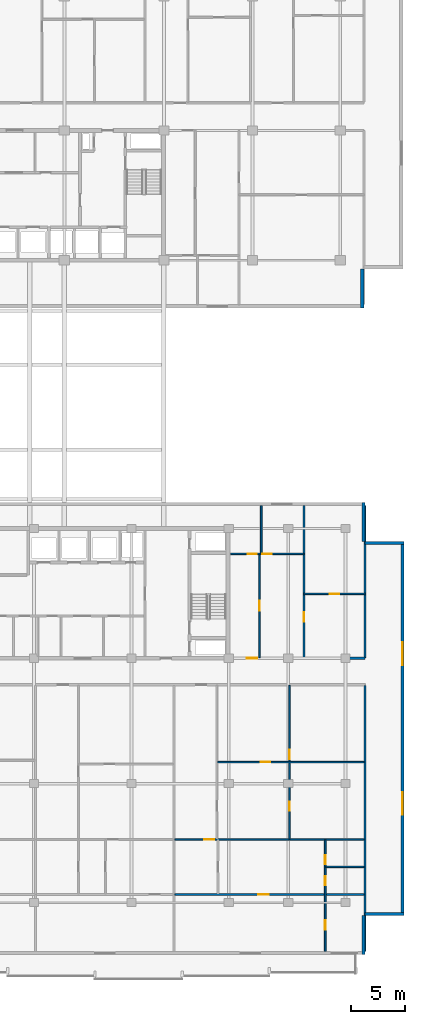
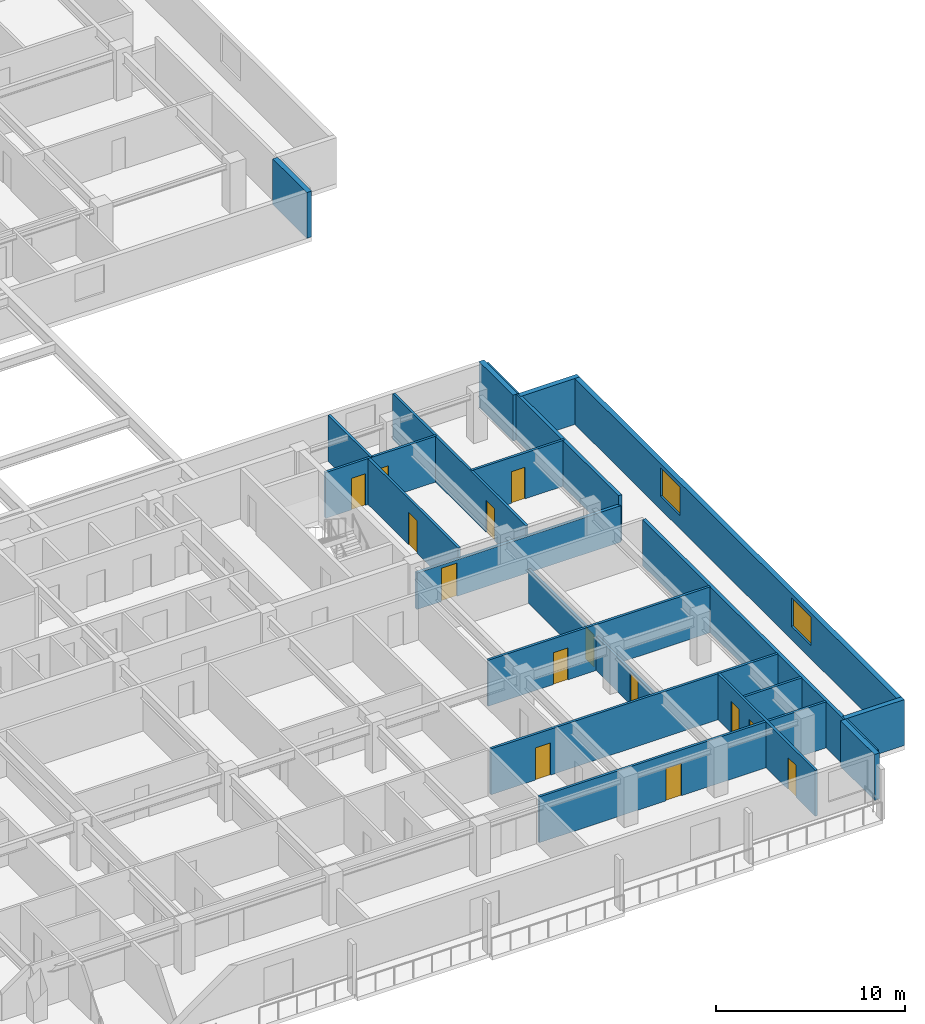
# One storey, part 9 of 21: 20 walls, 14 doors, 2 windows, 16 openings.
"""IFC4 building model written with IfcOpenShell, lengths in metres."""

from ifc_helpers import new_model, si_unit, direction, frame, frame_2d, origin, place, context, subcontext, project, spatial, rectangle, extrude, material, layer, layer_set, type_object, element, fill, save


model = new_model("IFC4")

# Units and contexts
model_context = context("Model", 3, precision=1e-05, world=origin(), true_north=direction((0.0, 1.0)))
body_context = subcontext(model_context, "Body", "Model", "MODEL_VIEW")
ifc_project = project(units=[si_unit("LENGTHUNIT", "METRE"), si_unit("AREAUNIT", "SQUARE_METRE"), si_unit("VOLUMEUNIT", "CUBIC_METRE"), si_unit("PLANEANGLEUNIT", "RADIAN"), si_unit("MASSUNIT", "GRAM", prefix="KILO")], contexts=[model_context])

# Site, building, storey
site_placement = place(None, origin())
site = spatial("IfcSite", under=ifc_project, at=site_placement, CompositionType="ELEMENT")
building_placement = place(site_placement, origin())
building = spatial("IfcBuilding", under=site, at=building_placement, Name="Korimba Cascade Residences", CompositionType="ELEMENT")
storey_placement = place(building_placement, frame((0.0, 0.0, 136.050048828125)))
storey = spatial("IfcBuildingStorey", under=building, at=storey_placement, Name="L39", CompositionType="ELEMENT", Elevation=136.050048828125)

# Walls
ifc_material_1 = material(Name="Precast concrete C40/50", Category="concrete")
ifc_layer_1 = layer(ifc_material_1, 0.300048828125)
ifc_layer_set_1 = layer_set([ifc_layer_1], Name="Precast concrete C40/50")
wall_type_1 = type_object("IfcWallType", Name="EW-STONE-300", PredefinedType="STANDARD", material=ifc_layer_set_1)
wall_1_placement = place(storey_placement, frame((130.449951171875, 50.800048828125, 0.0), z_axis=(0.0, 0.0, 1.0), x_axis=(0.0, 1.0, 0.0)))
element("IfcWall", 1, at=wall_1_placement, inside=storey, type_object=wall_type_1, Name="L39 T1 Perimeter Stone Wall E01", PredefinedType="STANDARD", context=body_context, shape_type="SweptSolid", body=[
    extrude(rectangle(XDim=3.599853515625, YDim=0.300048828125, at=frame_2d((1.7998046875, 0.0))), origin(), (0.0, 0.0, 1.0), 2.9599609375),
])
for number, where, z_axis, x_axis, name in (
    (2, (130.550048828125, -9.0, 0.0), (0.0, 0.0, 1.0), (0.0, 1.0, 0.0), "L39 T2 Perimeter Stone Wall E01"),
    (3, (130.699951171875, -5.25, 0.0), (0.0, 0.0, 1.0), (1.0, 0.0, 0.0), "L39 T2 Perimeter Stone Wall E02"),
):
    element("IfcWall", number, at=place(storey_placement, frame(where, z_axis=z_axis, x_axis=x_axis)), inside=storey, type_object=wall_type_1, Name=name, PredefinedType="STANDARD", context=body_context, shape_type="SweptSolid", body=[
        extrude(rectangle(XDim=3.60009765625, YDim=0.300048828125, at=frame_2d((1.800048828125, 0.0))), origin(), (0.0, 0.0, 1.0), 2.9599609375),
    ])

# Wall, openings, windows
wall_2_placement = place(storey_placement, frame((134.14990234375, -5.39990234375, 0.0), z_axis=(0.0, 0.0, 1.0), x_axis=(0.0, 1.0, 0.0)))
wall_2 = element("IfcWall", 4, at=wall_2_placement, inside=storey, type_object=wall_type_1, Name="L39 T2 Perimeter Stone Wall E03", PredefinedType="STANDARD", context=body_context, shape_type="SweptSolid", body=[
    extrude(rectangle(XDim=34.599853515625, YDim=0.300048828125, at=frame_2d((17.2998046875, 0.0))), origin(), (0.0, 0.0, 1.0), 2.9599609375),
])
opening_1_placement = place(wall_2_placement, frame((9.330078125, 0.0, 0.85009765625)))
opening_1 = element("IfcOpeningElement", 5, at=opening_1_placement, cuts=wall_2, Name="Opening W-03", PredefinedType="OPENING", context=body_context, shape_type="SweptSolid", body=[
    extrude(rectangle(XDim=2.10009765625, YDim=1.85009765625, at=frame_2d((1.050048828125, 0.925048828125))), frame((0.0, 0.16015625, 0.0), z_axis=(0.0, -1.0, 0.0), x_axis=(1.0, 0.0, 0.0)), (0.0, 0.0, 1.0), 0.320068359375),
])
opening_2_placement = place(wall_2_placement, frame((23.169921875, 0.0, 0.85009765625)))
opening_2 = element("IfcOpeningElement", 6, at=opening_2_placement, cuts=wall_2, Name="Opening W-03", PredefinedType="OPENING", context=body_context, shape_type="SweptSolid", body=[
    extrude(rectangle(XDim=2.10009765625, YDim=1.85009765625, at=frame_2d((1.050048828125, 0.925048828125))), frame((0.0, 0.16015625, 0.0), z_axis=(0.0, -1.0, 0.0), x_axis=(1.0, 0.0, 0.0)), (0.0, 0.0, 1.0), 0.320068359375),
])
ifc_material_2 = material(Name="Double-Glazed Aluminium Window", Category="aluminium")
window_type = type_object("IfcWindowType", Name="WIN-CRN-2100", PartitioningType="DOUBLE_PANEL_HORIZONTAL", PredefinedType="WINDOW", material=ifc_material_2)
window_1_placement = place(opening_1_placement, origin())
window_1 = element("IfcWindow", 7, at=window_1_placement, inside=storey, type_object=window_type, Name="L39 T2 End View Window 3.1", OverallHeight=1.85009765625, OverallWidth=2.10009765625, PartitioningType="DOUBLE_PANEL_HORIZONTAL", PredefinedType="WINDOW", context=body_context, shape_type="SweptSolid", body=[
    extrude(rectangle(XDim=2.10009765625, YDim=1.85009765625, at=frame_2d((1.050048828125, 0.925048828125))), frame((0.0, 0.030029296875, 0.0), z_axis=(0.0, -1.0, 0.0), x_axis=(1.0, 0.0, 0.0)), (0.0, 0.0, 1.0), 0.06005859375),
])
fill(opening_1, window_1)
window_2_placement = place(opening_2_placement, origin())
window_2 = element("IfcWindow", 8, at=window_2_placement, inside=storey, type_object=window_type, Name="L39 T2 End View Window 3.2", OverallHeight=1.85009765625, OverallWidth=2.10009765625, PartitioningType="DOUBLE_PANEL_HORIZONTAL", PredefinedType="WINDOW", context=body_context, shape_type="SweptSolid", body=[
    extrude(rectangle(XDim=2.10009765625, YDim=1.85009765625, at=frame_2d((1.050048828125, 0.925048828125))), frame((0.0, 0.030029296875, 0.0), z_axis=(0.0, -1.0, 0.0), x_axis=(1.0, 0.0, 0.0)), (0.0, 0.0, 1.0), 0.06005859375),
])
fill(opening_2, window_2)

# Walls
for number, where, z_axis, x_axis, name in (
    (9, (134.300048828125, 29.050048828125, 0.0), (0.0, 0.0, 1.0), (-1.0, 0.0, 0.0), "L39 T2 Perimeter Stone Wall E04"),
    (10, (130.550048828125, 29.199951171875, 0.0), (0.0, 0.0, 1.0), (0.0, 1.0, 0.0), "L39 T2 Perimeter Stone Wall E05"),
):
    element("IfcWall", number, at=place(storey_placement, frame(where, z_axis=z_axis, x_axis=x_axis)), inside=storey, type_object=wall_type_1, Name=name, PredefinedType="STANDARD", context=body_context, shape_type="SweptSolid", body=[
        extrude(rectangle(XDim=3.60009765625, YDim=0.300048828125, at=frame_2d((1.800048828125, 0.0))), origin(), (0.0, 0.0, 1.0), 2.9599609375),
    ])
ifc_layer_2 = layer(ifc_material_1, 0.199951171875)
ifc_layer_set_2 = layer_set([ifc_layer_2], Name="Precast concrete C40/50")
wall_type_2 = type_object("IfcWallType", Name="WAL-IT-200", PredefinedType="PARTITIONING", material=ifc_layer_set_2)
wall_3_placement = place(storey_placement, frame((130.699951171875, 18.39990234375, 0.0), z_axis=(0.0, 0.0, 1.0), x_axis=(0.0, 1.0, 0.0)))
element("IfcWall", 11, at=wall_3_placement, inside=storey, type_object=wall_type_2, Name="L39 Partition Wall WAL-L39-T2-FE-WR", PredefinedType="PARTITIONING", context=body_context, shape_type="SweptSolid", body=[
    extrude(rectangle(XDim=14.10009765625, YDim=0.199951171875, at=frame_2d((7.050048828125, 0.0))), origin(), (0.0, 0.0, 1.0), 2.9599609375),
])

# Wall, opening, door
wall_4_placement = place(storey_placement, frame((118.25, 18.39990234375, 0.0), z_axis=(0.0, 0.0, 1.0), x_axis=(1.0, 0.0, 0.0)))
wall_4 = element("IfcWall", 12, at=wall_4_placement, inside=storey, type_object=wall_type_2, Name="L39 Partition Wall WAL-L39-T2-FE-S", PredefinedType="PARTITIONING", context=body_context, shape_type="SweptSolid", body=[
    extrude(rectangle(XDim=12.449951171875, YDim=0.199951171875, at=frame_2d((6.22509765625, 0.0))), origin(), (0.0, 0.0, 1.0), 2.34765625),
])
opening_3_placement = place(wall_4_placement, frame((1.510009765625, 0.0, 0.0)))
opening_3 = element("IfcOpeningElement", 13, at=opening_3_placement, cuts=wall_4, Name="Opening D-UN1", PredefinedType="OPENING", context=body_context, shape_type="SweptSolid", body=[
    extrude(rectangle(XDim=0.949951171875, YDim=2.14990234375, at=frame_2d((0.47509765625, 1.074951171875))), frame((0.0, 0.10986328125, 0.0), z_axis=(0.0, -1.0, 0.0), x_axis=(1.0, 0.0, 0.0)), (0.0, 0.0, 1.0), 0.219970703125),
])
ifc_material_3 = material(Name="Fire-Rated Hardwood Apartment Entrance Door", Category="wood")
door_type_1 = type_object("IfcDoorType", Name="DR-FD60-950", OperationType="NOTDEFINED", PredefinedType="DOOR", material=ifc_material_3)
door_1_placement = place(opening_3_placement, origin())
door_1 = element("IfcDoor", 14, at=door_1_placement, inside=storey, type_object=door_type_1, Name="L39-T2-FE Entrance Door", OperationType="SINGLE_SWING_LEFT", OverallHeight=2.14990234375, OverallWidth=0.949951171875, PredefinedType="DOOR", context=body_context, shape_type="SweptSolid", body=[
    extrude(rectangle(XDim=0.949951171875, YDim=2.14990234375, at=frame_2d((0.47509765625, 1.074951171875))), frame((0.0, 0.02490234375, 0.0), z_axis=(0.0, -1.0, 0.0), x_axis=(1.0, 0.0, 0.0)), (0.0, 0.0, 1.0), 0.050048828125),
])
fill(opening_3, door_1)

# Wall
wall_5_placement = place(storey_placement, frame((130.699951171875, -8.699951171875, 0.0), z_axis=(0.0, 0.0, 1.0), x_axis=(0.0, 1.0, 0.0)))
element("IfcWall", 15, at=wall_5_placement, inside=storey, type_object=wall_type_2, Name="L39 Partition Wall WAL-L39-T2-BNDWR", PredefinedType="PARTITIONING", context=body_context, shape_type="SweptSolid", body=[
    extrude(rectangle(XDim=24.570068359375, YDim=0.199951171875, at=frame_2d((12.28515625, 0.0))), origin(), (0.0, 0.0, 1.0), 2.9599609375),
])

# Wall, opening, door
ifc_material_4 = material(Name="Insulated Acoustic Stud Partition", Category="gypsum")
ifc_layer_3 = layer(ifc_material_4, 0.14990234375)
ifc_layer_set_3 = layer_set([ifc_layer_3], Name="Insulated Acoustic Stud Partition")
wall_type_3 = type_object("IfcWallType", Name="WAL-PART-150", PredefinedType="PARTITIONING", material=ifc_layer_set_3)
wall_6_placement = place(storey_placement, frame((125.050048828125, 24.35009765625, 0.0), z_axis=(0.0, 0.0, 1.0), x_axis=(1.0, 0.0, 0.0)))
wall_6 = element("IfcWall", 16, at=wall_6_placement, inside=storey, type_object=wall_type_3, Name="L39 Partition Wall WAL-L39-T2-FE-STH", PredefinedType="PARTITIONING", context=body_context, shape_type="SweptSolid", body=[
    extrude(rectangle(XDim=5.64990234375, YDim=0.14990234375, at=frame_2d((2.824951171875, 0.0))), origin(), (0.0, 0.0, 1.0), 2.9599609375),
])
opening_4_placement = place(wall_6_placement, frame((2.405029296875, 0.0, 0.0)))
opening_4 = element("IfcOpeningElement", 17, at=opening_4_placement, cuts=wall_6, Name="Opening D-BT1", PredefinedType="OPENING", context=body_context, shape_type="SweptSolid", body=[
    extrude(rectangle(XDim=0.840087890625, YDim=2.0400390625, at=frame_2d((0.419921875, 1.02001953125))), frame((0.0, 0.0849609375, 0.0), z_axis=(0.0, -1.0, 0.0), x_axis=(1.0, 0.0, 0.0)), (0.0, 0.0, 1.0), 0.169921875),
])
ifc_material_5 = material(Name="Moisture-Resistant Bathroom Timber Door", Category="wood")
door_type_2 = type_object("IfcDoorType", Name="DR-INT-850", OperationType="NOTDEFINED", PredefinedType="DOOR", material=ifc_material_5)
door_2_placement = place(opening_4_placement, origin())
door_2 = element("IfcDoor", 18, at=door_2_placement, inside=storey, type_object=door_type_2, Name="L39-T2-FE Dressing Store Door", OperationType="SINGLE_SWING_RIGHT", OverallHeight=2.0400390625, OverallWidth=0.840087890625, PredefinedType="DOOR", context=body_context, shape_type="SweptSolid", body=[
    extrude(rectangle(XDim=0.840087890625, YDim=2.0400390625, at=frame_2d((0.419921875, 1.02001953125))), frame((0.0, 0.02490234375, 0.0), z_axis=(0.0, -1.0, 0.0), x_axis=(1.0, 0.0, 0.0)), (0.0, 0.0, 1.0), 0.050048828125),
])
fill(opening_4, door_2)

wall_7_placement = place(storey_placement, frame((125.050048828125, 18.449951171875, 0.0), z_axis=(0.0, 0.0, 1.0), x_axis=(0.0, 1.0, 0.0)))
wall_7 = element("IfcWall", 19, at=wall_7_placement, inside=storey, type_object=wall_type_3, Name="L39 Partition Wall WAL-L39-T2-FE-STV", PredefinedType="PARTITIONING", context=body_context, shape_type="SweptSolid", body=[
    extrude(rectangle(XDim=14.050048828125, YDim=0.14990234375, at=frame_2d((7.02490234375, 0.0))), origin(), (0.0, 0.0, 1.0), 2.9599609375),
])
opening_5_placement = place(wall_7_placement, frame((3.320068359375, 0.0, 0.0)))
opening_5 = element("IfcOpeningElement", 20, at=opening_5_placement, cuts=wall_7, Name="Opening D-IN2", PredefinedType="OPENING", context=body_context, shape_type="SweptSolid", body=[
    extrude(rectangle(XDim=0.8798828125, YDim=2.06005859375, at=frame_2d((0.43994140625, 1.030029296875))), frame((0.0, 0.0849609375, 0.0), z_axis=(0.0, -1.0, 0.0), x_axis=(1.0, 0.0, 0.0)), (0.0, 0.0, 1.0), 0.169921875),
])
ifc_material_6 = material(Name="Acoustic Timber Bedroom Door", Category="wood")
door_type_3 = type_object("IfcDoorType", Name="DR-INT-880", OperationType="NOTDEFINED", PredefinedType="DOOR", material=ifc_material_6)
door_3_placement = place(opening_5_placement, origin())
door_3 = element("IfcDoor", 21, at=door_3_placement, inside=storey, type_object=door_type_3, Name="L39-T2-FE Study Door", OperationType="SINGLE_SWING_LEFT", OverallHeight=2.06005859375, OverallWidth=0.8798828125, PredefinedType="DOOR", context=body_context, shape_type="SweptSolid", body=[
    extrude(rectangle(XDim=0.8798828125, YDim=2.06005859375, at=frame_2d((0.43994140625, 1.030029296875))), frame((0.0, 0.02490234375, 0.0), z_axis=(0.0, -1.0, 0.0), x_axis=(1.0, 0.0, 0.0)), (0.0, 0.0, 1.0), 0.050048828125),
])
fill(opening_5, door_3)

wall_8_placement = place(storey_placement, frame((120.929931640625, 18.449951171875, 0.0), z_axis=(0.0, 0.0, 1.0), x_axis=(0.0, 1.0, 0.0)))
wall_8 = element("IfcWall", 22, at=wall_8_placement, inside=storey, type_object=wall_type_3, Name="L39 Partition Wall WAL-L39-T2-FE-VS", PredefinedType="PARTITIONING", context=body_context, shape_type="SweptSolid", body=[
    extrude(rectangle(XDim=9.60009765625, YDim=0.14990234375, at=frame_2d((4.800048828125, 0.0))), origin(), (0.0, 0.0, 1.0), 2.9599609375),
])
opening_6_placement = place(wall_8_placement, frame((4.340087890625, 0.0, 0.0)))
opening_6 = element("IfcOpeningElement", 23, at=opening_6_placement, cuts=wall_8, Name="Opening D-IN1", PredefinedType="OPENING", context=body_context, shape_type="SweptSolid", body=[
    extrude(rectangle(XDim=0.919921875, YDim=2.080078125, at=frame_2d((0.4599609375, 1.0400390625))), frame((0.0, 0.0849609375, 0.0), z_axis=(0.0, -1.0, 0.0), x_axis=(1.0, 0.0, 0.0)), (0.0, 0.0, 1.0), 0.169921875),
])
ifc_material_7 = material(Name="Acoustic Timber Living Door", Category="wood")
door_type_4 = type_object("IfcDoorType", Name="DR-INT-920", OperationType="NOTDEFINED", PredefinedType="DOOR", material=ifc_material_7)
door_4_placement = place(opening_6_placement, origin())
door_4 = element("IfcDoor", 24, at=door_4_placement, inside=storey, type_object=door_type_4, Name="L39-T2-FE Living Door", OperationType="SINGLE_SWING_RIGHT", OverallHeight=2.080078125, OverallWidth=0.919921875, PredefinedType="DOOR", context=body_context, shape_type="SweptSolid", body=[
    extrude(rectangle(XDim=0.919921875, YDim=2.080078125, at=frame_2d((0.4599609375, 1.0400390625))), frame((0.0, 0.02490234375, 0.0), z_axis=(0.0, -1.0, 0.0), x_axis=(1.0, 0.0, 0.0)), (0.0, 0.0, 1.0), 0.050048828125),
])
fill(opening_6, door_4)

# Wall
wall_9_placement = place(storey_placement, frame((121.10009765625, 28.050048828125, 0.0), z_axis=(0.0, 0.0, 1.0), x_axis=(0.0, 1.0, 0.0)))
element("IfcWall", 25, at=wall_9_placement, inside=storey, type_object=wall_type_3, Name="L39 Partition Wall WAL-L39-T2-FE-VN", PredefinedType="PARTITIONING", context=body_context, shape_type="SweptSolid", body=[
    extrude(rectangle(XDim=4.449951171875, YDim=0.14990234375, at=frame_2d((2.22509765625, 0.0))), origin(), (0.0, 0.0, 1.0), 2.9599609375),
])

# Wall, openings, doors
wall_10_placement = place(storey_placement, frame((118.27001953125, 28.050048828125, 0.0), z_axis=(0.0, 0.0, 1.0), x_axis=(1.0, 0.0, 0.0)))
wall_10 = element("IfcWall", 26, at=wall_10_placement, inside=storey, type_object=wall_type_3, Name="L39 Partition Wall WAL-L39-T2-FE-H", PredefinedType="PARTITIONING", context=body_context, shape_type="SweptSolid", body=[
    extrude(rectangle(XDim=6.760009765625, YDim=0.14990234375, at=frame_2d((3.3798828125, 0.0))), origin(), (0.0, 0.0, 1.0), 2.9599609375),
])
opening_7_placement = place(wall_10_placement, frame((1.58740234375, 0.0, 0.0)))
opening_7 = element("IfcOpeningElement", 27, at=opening_7_placement, cuts=wall_10, Name="Opening D-BT1", PredefinedType="OPENING", context=body_context, shape_type="SweptSolid", body=[
    extrude(rectangle(XDim=0.840087890625, YDim=2.0400390625, at=frame_2d((0.419921875, 1.02001953125))), frame((0.0, 0.0849609375, 0.0), z_axis=(0.0, -1.0, 0.0), x_axis=(1.0, 0.0, 0.0)), (0.0, 0.0, 1.0), 0.169921875),
])
opening_8_placement = place(wall_10_placement, frame((2.93994140625, 0.0, 0.0)))
opening_8 = element("IfcOpeningElement", 28, at=opening_8_placement, cuts=wall_10, Name="Opening D-IN2", PredefinedType="OPENING", context=body_context, shape_type="SweptSolid", body=[
    extrude(rectangle(XDim=0.8798828125, YDim=2.06005859375, at=frame_2d((0.43994140625, 1.030029296875))), frame((0.0, 0.0849609375, 0.0), z_axis=(0.0, -1.0, 0.0), x_axis=(1.0, 0.0, 0.0)), (0.0, 0.0, 1.0), 0.169921875),
])
door_5_placement = place(opening_7_placement, origin())
door_5 = element("IfcDoor", 29, at=door_5_placement, inside=storey, type_object=door_type_2, Name="L39-T2-FE Bathroom Door", OperationType="SINGLE_SWING_LEFT", OverallHeight=2.0400390625, OverallWidth=0.840087890625, PredefinedType="DOOR", context=body_context, shape_type="SweptSolid", body=[
    extrude(rectangle(XDim=0.840087890625, YDim=2.0400390625, at=frame_2d((0.419921875, 1.02001953125))), frame((0.0, 0.02490234375, 0.0), z_axis=(0.0, -1.0, 0.0), x_axis=(1.0, 0.0, 0.0)), (0.0, 0.0, 1.0), 0.050048828125),
])
fill(opening_7, door_5)
door_6_placement = place(opening_8_placement, origin())
door_6 = element("IfcDoor", 30, at=door_6_placement, inside=storey, type_object=door_type_3, Name="L39-T2-FE Bedroom Door", OperationType="SINGLE_SWING_RIGHT", OverallHeight=2.06005859375, OverallWidth=0.8798828125, PredefinedType="DOOR", context=body_context, shape_type="SweptSolid", body=[
    extrude(rectangle(XDim=0.8798828125, YDim=2.06005859375, at=frame_2d((0.43994140625, 1.030029296875))), frame((0.0, 0.02490234375, 0.0), z_axis=(0.0, -1.0, 0.0), x_axis=(1.0, 0.0, 0.0)), (0.0, 0.0, 1.0), 0.050048828125),
])
fill(opening_8, door_6)

wall_11_placement = place(storey_placement, frame((123.7216796875, 1.68994140625, 0.0), z_axis=(0.0, 0.0, 1.0), x_axis=(0.0, 1.0, 0.0)))
wall_11 = element("IfcWall", 31, at=wall_11_placement, inside=storey, type_object=wall_type_3, Name="L39 Partition Wall WAL-L39-T2-U04-FMV", PredefinedType="PARTITIONING", context=body_context, shape_type="SweptSolid", body=[
    extrude(rectangle(XDim=14.199951171875, YDim=0.14990234375, at=frame_2d((7.10009765625, 0.0))), origin(), (0.0, 0.0, 1.0), 2.190185546875),
])
opening_9_placement = place(wall_11_placement, frame((2.614013671875, 0.0, 0.0)))
opening_9 = element("IfcOpeningElement", 32, at=opening_9_placement, cuts=wall_11, Name="Opening D-BT1", PredefinedType="OPENING", context=body_context, shape_type="SweptSolid", body=[
    extrude(rectangle(XDim=0.840087890625, YDim=2.0400390625, at=frame_2d((0.419921875, 1.02001953125))), frame((0.0, 0.0849609375, 0.0), z_axis=(0.0, -1.0, 0.0), x_axis=(1.0, 0.0, 0.0)), (0.0, 0.0, 1.0), 0.169921875),
])
opening_10_placement = place(wall_11_placement, frame((7.35009765625, 0.0, 0.0)))
opening_10 = element("IfcOpeningElement", 33, at=opening_10_placement, cuts=wall_11, Name="Opening D-IN2", PredefinedType="OPENING", context=body_context, shape_type="SweptSolid", body=[
    extrude(rectangle(XDim=0.8798828125, YDim=2.06005859375, at=frame_2d((0.43994140625, 1.030029296875))), frame((0.0, 0.0849609375, 0.0), z_axis=(0.0, -1.0, 0.0), x_axis=(1.0, 0.0, 0.0)), (0.0, 0.0, 1.0), 0.169921875),
])
door_7_placement = place(opening_9_placement, origin())
door_7 = element("IfcDoor", 34, at=door_7_placement, inside=storey, type_object=door_type_2, Name="L39-T2-U04 Wardrobe Door", OperationType="SINGLE_SWING_LEFT", OverallHeight=2.0400390625, OverallWidth=0.840087890625, PredefinedType="DOOR", context=body_context, shape_type="SweptSolid", body=[
    extrude(rectangle(XDim=0.840087890625, YDim=2.0400390625, at=frame_2d((0.419921875, 1.02001953125))), frame((0.0, 0.02490234375, 0.0), z_axis=(0.0, -1.0, 0.0), x_axis=(1.0, 0.0, 0.0)), (0.0, 0.0, 1.0), 0.050048828125),
])
fill(opening_9, door_7)
door_8_placement = place(opening_10_placement, origin())
door_8 = element("IfcDoor", 35, at=door_8_placement, inside=storey, type_object=door_type_3, Name="L39-T2-U04 Music Lounge Door", OperationType="SINGLE_SWING_RIGHT", OverallHeight=2.06005859375, OverallWidth=0.8798828125, PredefinedType="DOOR", context=body_context, shape_type="SweptSolid", body=[
    extrude(rectangle(XDim=0.8798828125, YDim=2.06005859375, at=frame_2d((0.43994140625, 1.030029296875))), frame((0.0, 0.02490234375, 0.0), z_axis=(0.0, -1.0, 0.0), x_axis=(1.0, 0.0, 0.0)), (0.0, 0.0, 1.0), 0.050048828125),
])
fill(opening_10, door_8)

# Wall, opening, door
wall_12_placement = place(storey_placement, frame((117.063232421875, 8.7900390625, 0.0), z_axis=(0.0, 0.0, 1.0), x_axis=(1.0, 0.0, 0.0)))
wall_12 = element("IfcWall", 36, at=wall_12_placement, inside=storey, type_object=wall_type_3, Name="L39 Partition Wall WAL-L39-T2-U04-FMH", PredefinedType="PARTITIONING", context=body_context, shape_type="SweptSolid", body=[
    extrude(rectangle(XDim=13.556884765625, YDim=0.14990234375, at=frame_2d((6.7783203125, 0.0))), origin(), (0.0, 0.0, 1.0), 2.9599609375),
])
opening_11_placement = place(wall_12_placement, frame((3.995849609375, 0.0, 0.0)))
opening_11 = element("IfcOpeningElement", 37, at=opening_11_placement, cuts=wall_12, Name="Opening D-IN2", PredefinedType="OPENING", context=body_context, shape_type="SweptSolid", body=[
    extrude(rectangle(XDim=0.8798828125, YDim=2.06005859375, at=frame_2d((0.43994140625, 1.030029296875))), frame((0.0, 0.0849609375, 0.0), z_axis=(0.0, -1.0, 0.0), x_axis=(1.0, 0.0, 0.0)), (0.0, 0.0, 1.0), 0.169921875),
])
door_9_placement = place(opening_11_placement, origin())
door_9 = element("IfcDoor", 38, at=door_9_placement, inside=storey, type_object=door_type_3, Name="L39-T2-U04 Library Salon Door", OperationType="SINGLE_SWING_LEFT", OverallHeight=2.06005859375, OverallWidth=0.8798828125, PredefinedType="DOOR", context=body_context, shape_type="SweptSolid", body=[
    extrude(rectangle(XDim=0.8798828125, YDim=2.06005859375, at=frame_2d((0.43994140625, 1.030029296875))), frame((0.0, 0.02490234375, 0.0), z_axis=(0.0, -1.0, 0.0), x_axis=(1.0, 0.0, 0.0)), (0.0, 0.0, 1.0), 0.050048828125),
])
fill(opening_11, door_9)

# Wall
wall_13_placement = place(storey_placement, frame((127.080078125, -0.889892578125, 0.0), z_axis=(0.0, 0.0, 1.0), x_axis=(1.0, 0.0, 0.0)))
element("IfcWall", 39, at=wall_13_placement, inside=storey, type_object=wall_type_3, Name="L39 Partition Wall WAL-L39-T2-U04-BLDIV", PredefinedType="PARTITIONING", context=body_context, shape_type="SweptSolid", body=[
    extrude(rectangle(XDim=3.5400390625, YDim=0.14990234375, at=frame_2d((1.77001953125, 0.0))), origin(), (0.0, 0.0, 1.0), 2.9599609375),
])

# Wall, openings, doors
wall_14_placement = place(storey_placement, frame((127.02001953125, -8.699951171875, 0.0), z_axis=(0.0, 0.0, 1.0), x_axis=(0.0, 1.0, 0.0)))
wall_14 = element("IfcWall", 40, at=wall_14_placement, inside=storey, type_object=wall_type_3, Name="L39 Partition Wall WAL-L39-T2-U04-V1", PredefinedType="PARTITIONING", context=body_context, shape_type="SweptSolid", body=[
    extrude(rectangle(XDim=10.31005859375, YDim=0.14990234375, at=frame_2d((5.155029296875, 0.0))), origin(), (0.0, 0.0, 1.0), 2.9599609375),
])
opening_12_placement = place(wall_14_placement, frame((6.120361328125, 0.0, 0.0)))
opening_12 = element("IfcOpeningElement", 41, at=opening_12_placement, cuts=wall_14, Name="Opening D-BT1", PredefinedType="OPENING", context=body_context, shape_type="SweptSolid", body=[
    extrude(rectangle(XDim=0.840087890625, YDim=2.0400390625, at=frame_2d((0.419921875, 1.02001953125))), frame((0.0, 0.0849609375, 0.0), z_axis=(0.0, -1.0, 0.0), x_axis=(1.0, 0.0, 0.0)), (0.0, 0.0, 1.0), 0.169921875),
])
opening_13_placement = place(wall_14_placement, frame((8.03955078125, 0.0, 0.0)))
opening_13 = element("IfcOpeningElement", 42, at=opening_13_placement, cuts=wall_14, Name="Opening D-BT1", PredefinedType="OPENING", context=body_context, shape_type="SweptSolid", body=[
    extrude(rectangle(XDim=0.840087890625, YDim=2.0400390625, at=frame_2d((0.419921875, 1.02001953125))), frame((0.0, 0.0849609375, 0.0), z_axis=(0.0, -1.0, 0.0), x_axis=(1.0, 0.0, 0.0)), (0.0, 0.0, 1.0), 0.169921875),
])
opening_14_placement = place(wall_14_placement, frame((2.001220703125, 0.0, 0.0)))
opening_14 = element("IfcOpeningElement", 43, at=opening_14_placement, cuts=wall_14, Name="Opening D-IN2", PredefinedType="OPENING", context=body_context, shape_type="SweptSolid", body=[
    extrude(rectangle(XDim=0.8798828125, YDim=2.06005859375, at=frame_2d((0.43994140625, 1.030029296875))), frame((0.0, 0.0849609375, 0.0), z_axis=(0.0, -1.0, 0.0), x_axis=(1.0, 0.0, 0.0)), (0.0, 0.0, 1.0), 0.169921875),
])
door_10_placement = place(opening_12_placement, origin())
door_10 = element("IfcDoor", 44, at=door_10_placement, inside=storey, type_object=door_type_2, Name="L39-T2-U04 Bathroom Door", OperationType="SINGLE_SWING_RIGHT", OverallHeight=2.0400390625, OverallWidth=0.840087890625, PredefinedType="DOOR", context=body_context, shape_type="SweptSolid", body=[
    extrude(rectangle(XDim=0.840087890625, YDim=2.0400390625, at=frame_2d((0.419921875, 1.02001953125))), frame((0.0, 0.02490234375, 0.0), z_axis=(0.0, -1.0, 0.0), x_axis=(1.0, 0.0, 0.0)), (0.0, 0.0, 1.0), 0.050048828125),
])
fill(opening_12, door_10)
door_11_placement = place(opening_13_placement, origin())
door_11 = element("IfcDoor", 45, at=door_11_placement, inside=storey, type_object=door_type_2, Name="L39-T2-U04 Laundry Door", OperationType="SINGLE_SWING_LEFT", OverallHeight=2.0400390625, OverallWidth=0.840087890625, PredefinedType="DOOR", context=body_context, shape_type="SweptSolid", body=[
    extrude(rectangle(XDim=0.840087890625, YDim=2.0400390625, at=frame_2d((0.419921875, 1.02001953125))), frame((0.0, 0.02490234375, 0.0), z_axis=(0.0, -1.0, 0.0), x_axis=(1.0, 0.0, 0.0)), (0.0, 0.0, 1.0), 0.050048828125),
])
fill(opening_13, door_11)
door_12_placement = place(opening_14_placement, origin())
door_12 = element("IfcDoor", 46, at=door_12_placement, inside=storey, type_object=door_type_3, Name="L39-T2-U04 Bedroom 1 Door", OperationType="SINGLE_SWING_RIGHT", OverallHeight=2.06005859375, OverallWidth=0.8798828125, PredefinedType="DOOR", context=body_context, shape_type="SweptSolid", body=[
    extrude(rectangle(XDim=0.8798828125, YDim=2.06005859375, at=frame_2d((0.43994140625, 1.030029296875))), frame((0.0, 0.02490234375, 0.0), z_axis=(0.0, -1.0, 0.0), x_axis=(1.0, 0.0, 0.0)), (0.0, 0.0, 1.0), 0.050048828125),
])
fill(opening_14, door_12)

# Wall, opening, door
wall_15_placement = place(storey_placement, frame((113.11328125, 1.64990234375, 0.0), z_axis=(0.0, 0.0, 1.0), x_axis=(1.0, 0.0, 0.0)))
wall_15 = element("IfcWall", 47, at=wall_15_placement, inside=storey, type_object=wall_type_3, Name="L39 Partition Wall WAL-L39-T2-U04-MW", PredefinedType="PARTITIONING", context=body_context, shape_type="SweptSolid", body=[
    extrude(rectangle(XDim=17.5068359375, YDim=0.14990234375, at=frame_2d((8.75341796875, 0.0))), origin(), (0.0, 0.0, 1.0), 2.9599609375),
])
opening_15_placement = place(wall_15_placement, frame((2.719970703125, 0.0, 0.0)))
opening_15 = element("IfcOpeningElement", 48, at=opening_15_placement, cuts=wall_15, Name="Opening D-IN1", PredefinedType="OPENING", context=body_context, shape_type="SweptSolid", body=[
    extrude(rectangle(XDim=0.919921875, YDim=2.080078125, at=frame_2d((0.4599609375, 1.0400390625))), frame((0.0, 0.0849609375, 0.0), z_axis=(0.0, -1.0, 0.0), x_axis=(1.0, 0.0, 0.0)), (0.0, 0.0, 1.0), 0.169921875),
])
door_13_placement = place(opening_15_placement, origin())
door_13 = element("IfcDoor", 49, at=door_13_placement, inside=storey, type_object=door_type_4, Name="L39-T2-U04 Kitchen Archway Door", OperationType="SINGLE_SWING_LEFT", OverallHeight=2.080078125, OverallWidth=0.919921875, PredefinedType="DOOR", context=body_context, shape_type="SweptSolid", body=[
    extrude(rectangle(XDim=0.919921875, YDim=2.080078125, at=frame_2d((0.4599609375, 1.0400390625))), frame((0.0, 0.02490234375, 0.0), z_axis=(0.0, -1.0, 0.0), x_axis=(1.0, 0.0, 0.0)), (0.0, 0.0, 1.0), 0.050048828125),
])
fill(opening_15, door_13)

wall_16_placement = place(storey_placement, frame((113.11328125, -3.449951171875, 0.0), z_axis=(0.0, 0.0, 1.0), x_axis=(1.0, 0.0, 0.0)))
wall_16 = element("IfcWall", 50, at=wall_16_placement, inside=storey, type_object=wall_type_3, Name="L39 Partition Wall WAL-L39-T2-U04-HZ", PredefinedType="PARTITIONING", context=body_context, shape_type="SweptSolid", body=[
    extrude(rectangle(XDim=17.5068359375, YDim=0.14990234375, at=frame_2d((8.75341796875, 0.0))), origin(), (0.0, 0.0, 1.0), 2.9599609375),
])
opening_16_placement = place(wall_16_placement, frame((7.72998046875, 0.0, 0.0)))
opening_16 = element("IfcOpeningElement", 51, at=opening_16_placement, cuts=wall_16, Name="Opening D-IN0", PredefinedType="OPENING", context=body_context, shape_type="SweptSolid", body=[
    extrude(rectangle(XDim=0.93994140625, YDim=2.10009765625, at=frame_2d((0.469970703125, 1.050048828125))), frame((0.0, 0.0849609375, 0.0), z_axis=(0.0, -1.0, 0.0), x_axis=(1.0, 0.0, 0.0)), (0.0, 0.0, 1.0), 0.169921875),
])
ifc_material_8 = material(Name="Acoustic Timber Living Archway Door", Category="wood")
door_type_5 = type_object("IfcDoorType", Name="DR-INT-950", OperationType="NOTDEFINED", PredefinedType="DOOR", material=ifc_material_8)
door_14_placement = place(opening_16_placement, origin())
door_14 = element("IfcDoor", 52, at=door_14_placement, inside=storey, type_object=door_type_5, Name="L39-T2-U04 Living Archway Door", OperationType="SINGLE_SWING_RIGHT", OverallHeight=2.10009765625, OverallWidth=0.93994140625, PredefinedType="DOOR", context=body_context, shape_type="SweptSolid", body=[
    extrude(rectangle(XDim=0.93994140625, YDim=2.10009765625, at=frame_2d((0.469970703125, 1.050048828125))), frame((0.0, 0.02490234375, 0.0), z_axis=(0.0, -1.0, 0.0), x_axis=(1.0, 0.0, 0.0)), (0.0, 0.0, 1.0), 0.050048828125),
])
fill(opening_16, door_14)

save(model, "model.ifc")
